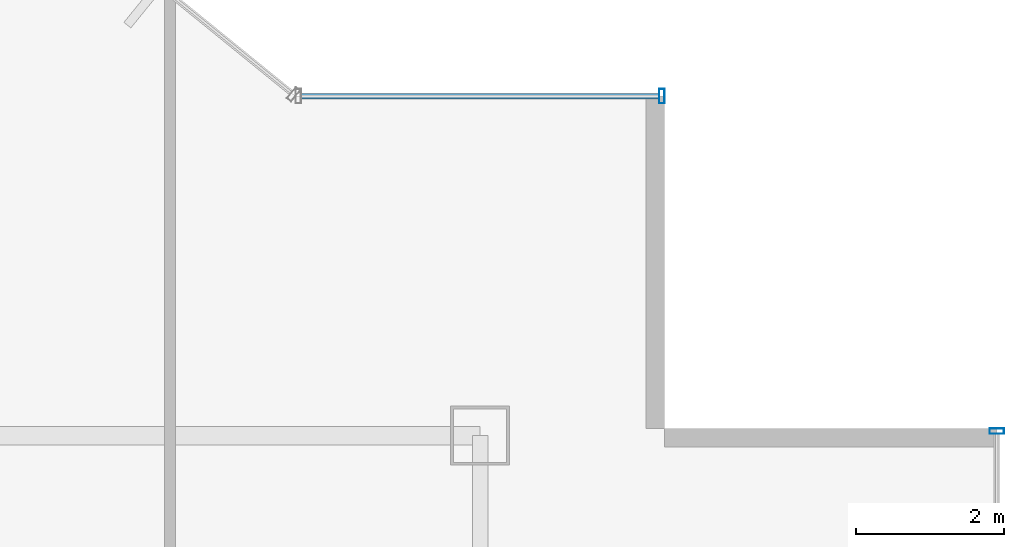
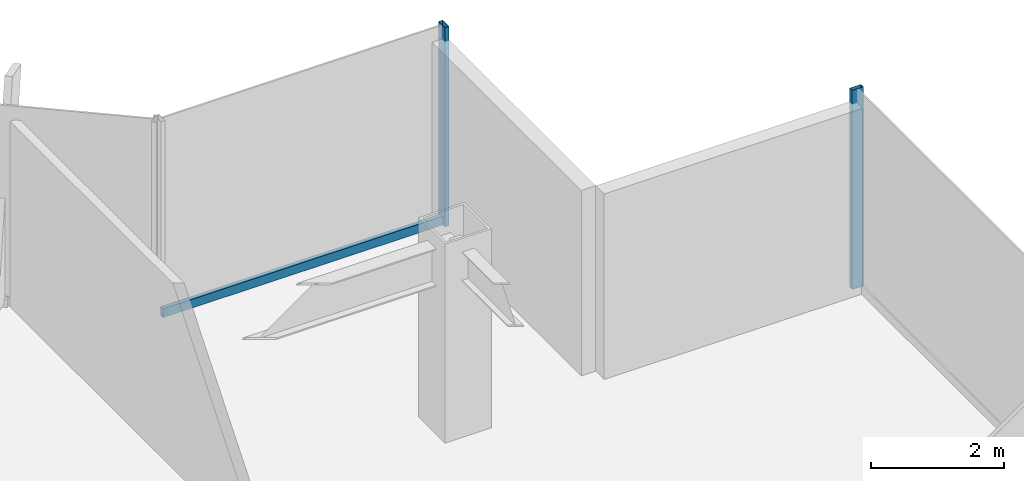
# One storey, part 19 of 26: 3 members, 2 elements without a shape of their own.
"""IFC4 building model written with IfcOpenShell, lengths in metres."""

from ifc_helpers import new_model, si_unit, derived_unit, direction, frame, origin, origin_2d, place, context, subcontext, project, spatial, hollow_rectangle, extrude, source, transform, mapped, material, material_profile, profile_set, type_object, element, aggregate, save


model = new_model("IFC4")

# Units and contexts
model_context = context("Model", 3, precision=1e-05, world=origin(), true_north=direction((0.0, 1.0)))
body_context = subcontext(model_context, "Body", "Model", "MODEL_VIEW")
ifc_project = project(units=[si_unit("LENGTHUNIT", "METRE"), si_unit("AREAUNIT", "SQUARE_METRE"), si_unit("VOLUMEUNIT", "CUBIC_METRE"), si_unit("PLANEANGLEUNIT", "RADIAN"), si_unit("MASSUNIT", "GRAM", prefix="KILO"), derived_unit("THERMALTRANSMITTANCEUNIT", [(si_unit("POWERUNIT", "WATT"), 1), (si_unit("LENGTHUNIT", "METRE"), -2), (si_unit("THERMODYNAMICTEMPERATUREUNIT", "KELVIN"), -1)])], contexts=[model_context])

# Site, building, storey
site_placement = place(None, origin())
site = spatial("IfcSite", under=ifc_project, at=site_placement, CompositionType="ELEMENT")
building_placement = place(site_placement, origin())
building = spatial("IfcBuilding", under=site, at=building_placement, Name="Skarnbrae Concourse Arena and Tower", CompositionType="ELEMENT")
storey_placement = place(building_placement, frame((0.0, 0.0, 95.949951171875)))
storey = spatial("IfcBuildingStorey", under=building, at=storey_placement, Name="L23", CompositionType="ELEMENT", Elevation=95.949951171875)

# Curtain wall, member
ifc_material = material(Name="Bronze anodised aluminium 6063-T6", Category="aluminium")
curtain_wall_type = type_object("IfcCurtainWallType", Name="CW-SYS-04-MIDZONE", PredefinedType="USERDEFINED", material=ifc_material)
curtain_wall_1_placement = place(storey_placement, origin())
curtain_wall_1 = element("IfcCurtainWall", 1, at=curtain_wall_1_placement, inside=storey, type_object=curtain_wall_type, Name="L23 Unitised curtain wall CW-L23-E04", ObjectType="UNITISED CURTAIN WALL", PredefinedType="USERDEFINED")
ifc_material_profile_1 = material_profile(ifc_material, hollow_rectangle(XDim=0.074951171875, YDim=0.195068359375, WallThickness=0.00439453125, at=origin_2d()), Name="ALU-MULL-75X195")
ifc_profile_set_1 = profile_set([ifc_material_profile_1], Name="Bronze anodised aluminium 6063-T6")
member_type_1 = type_object("IfcMemberType", Name="CWM-CW-04", PredefinedType="MULLION", material=ifc_profile_set_1)
shared_shape_1 = source(origin(), body_context, "Body", "SweptSolid", [
    extrude(hollow_rectangle(XDim=0.074951171875, YDim=0.195068359375, WallThickness=0.00439453125, at=origin_2d()), origin(), (0.0, 0.0, 1.0), 3.650146484375),
])
member_1_placement = place(storey_placement, frame((56.0, 34.46240234375, 0.0), z_axis=(0.0, 0.0, 1.0), x_axis=(0.0, 1.0, 0.0)))
member_1 = element("IfcMember", 2, at=member_1_placement, type_object=member_type_1, Name="CW-L23-E04 Mullion 5", PredefinedType="MULLION", context=body_context, shape_type="MappedRepresentation", body=[
    mapped(shared_shape_1, transform((0.0, 0.0, 0.0))),
])
aggregate(curtain_wall_1, [member_1])

# Curtain wall, members
curtain_wall_2_placement = place(storey_placement, origin())
curtain_wall_2 = element("IfcCurtainWall", 3, at=curtain_wall_2_placement, inside=storey, type_object=curtain_wall_type, Name="L23 Unitised curtain wall CW-L23-E07", ObjectType="UNITISED CURTAIN WALL", PredefinedType="USERDEFINED")
member_2_placement = place(storey_placement, frame((51.46240234375, 39.0, 0.0), z_axis=(0.0, 0.0, 1.0), x_axis=(-1.0, 0.0, 0.0)))
member_2 = element("IfcMember", 4, at=member_2_placement, type_object=member_type_1, Name="CW-L23-E07 Mullion 1", PredefinedType="MULLION", context=body_context, shape_type="MappedRepresentation", body=[
    mapped(shared_shape_1, transform((0.0, 0.0, 0.0))),
])
ifc_material_profile_2 = material_profile(ifc_material, hollow_rectangle(XDim=0.074951171875, YDim=0.159912109375, WallThickness=0.00439453125, at=origin_2d()), Name="ALU-TRAN-75X160")
ifc_profile_set_2 = profile_set([ifc_material_profile_2], Name="Bronze anodised aluminium 6063-T6")
member_type_2 = type_object("IfcMemberType", Name="CWT-CW-04", PredefinedType="USERDEFINED", material=ifc_profile_set_2)
shared_shape_2 = source(origin(), body_context, "Body", "SweptSolid", [
    extrude(hollow_rectangle(XDim=0.074951171875, YDim=0.159912109375, WallThickness=0.00439453125, at=origin_2d()), origin(), (0.0, 0.0, 1.0), 4.85009765625),
])
member_3_placement = place(storey_placement, frame((51.425048828125, 39.0, 0.080078125), z_axis=(-1.0, 0.0, 0.0), x_axis=(0.0, -1.0, 0.0)))
member_3 = element("IfcMember", 5, at=member_3_placement, type_object=member_type_2, Name="CW-L23-E07 Transom 1", ObjectType="TRANSOM", PredefinedType="USERDEFINED", context=body_context, shape_type="MappedRepresentation", body=[
    mapped(shared_shape_2, transform((0.0, 0.0, 0.0))),
])
aggregate(curtain_wall_2, [member_2, member_3])

save(model, "model.ifc")
